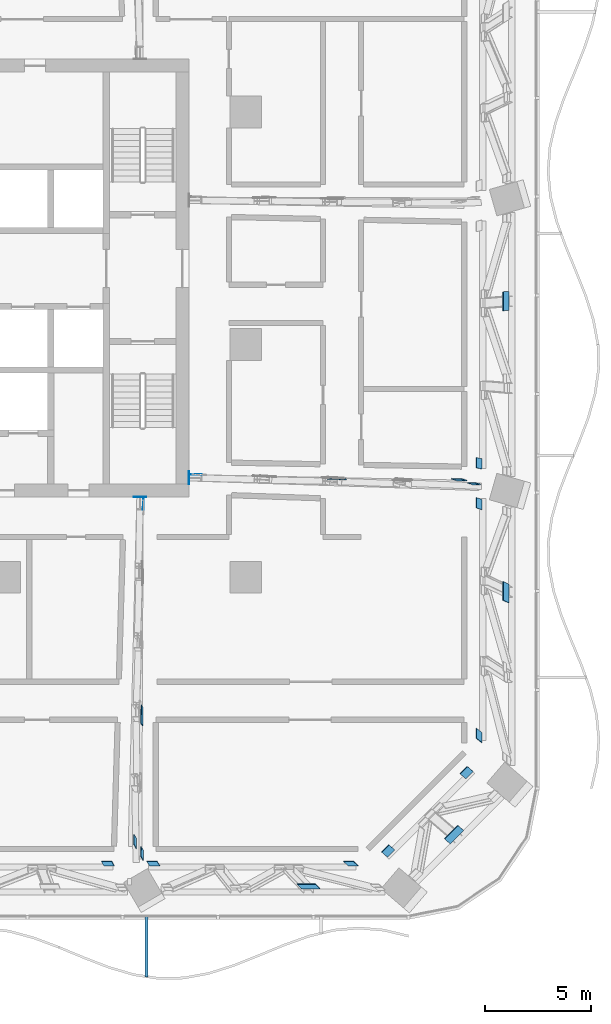
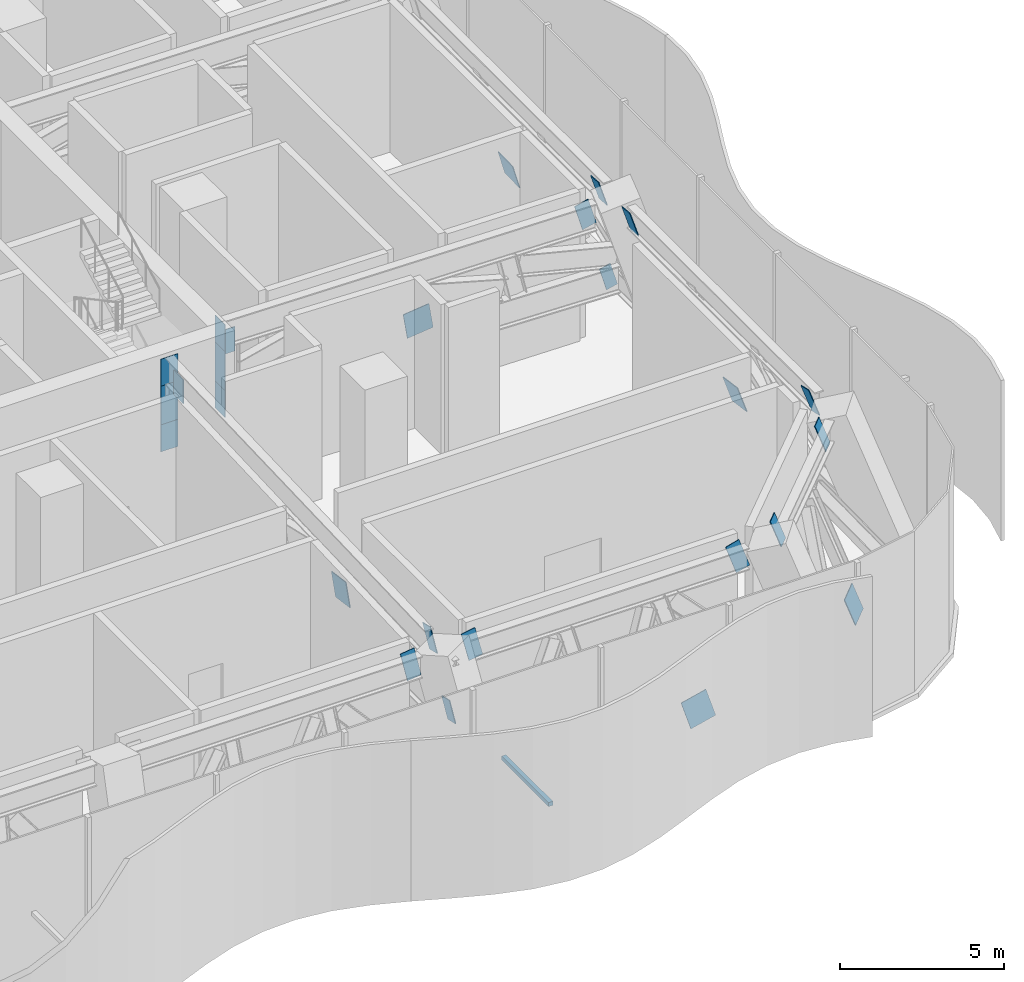
# One storey, part 16 of 32: 27 discrete accessories.
"""IFC4 building model written with IfcOpenShell, lengths in metres."""

from ifc_helpers import new_model, si_unit, direction, frame, origin, origin_2d, place, context, subcontext, project, spatial, rectangle, extrude, material, layer, layer_set, type_object, element, save


model = new_model("IFC4")

# Units and contexts
model_context = context("Model", 3, precision=1e-05, world=origin(), true_north=direction((0.0, 1.0)))
body_context = subcontext(model_context, "Body", "Model", "MODEL_VIEW")
ifc_project = project(units=[si_unit("LENGTHUNIT", "METRE"), si_unit("AREAUNIT", "SQUARE_METRE"), si_unit("VOLUMEUNIT", "CUBIC_METRE"), si_unit("PLANEANGLEUNIT", "RADIAN"), si_unit("MASSUNIT", "GRAM", prefix="KILO")], contexts=[model_context])

# Site, building, storey
site_placement = place(None, origin())
site = spatial("IfcSite", under=ifc_project, at=site_placement, CompositionType="ELEMENT")
building_placement = place(site_placement, origin())
building = spatial("IfcBuilding", under=site, at=building_placement, Name="Mopane Tessera Tower", CompositionType="ELEMENT")
storey_placement = place(building_placement, frame((0.0, 0.0, 88.60009765625)))
storey = spatial("IfcBuildingStorey", under=building, at=storey_placement, Name="L17", CompositionType="ELEMENT", Elevation=88.60009765625)

# Discrete accessories
ifc_material_1 = material(Name="Structural steel S460", Category="steel")
ifc_layer_1 = layer(ifc_material_1, 0.014892578125)
ifc_layer_set_1 = layer_set([ifc_layer_1], Name="Structural steel S460")
discrete_accessory_type_1 = type_object("IfcDiscreteAccessoryType", Name="Cast-in anchor plate 15 mm", PredefinedType="ANCHORPLATE", material=ifc_layer_set_1)
discrete_accessory_1_placement = place(storey_placement, frame((14.407470703125, -6.300537109375, 2.099853515625), z_axis=(0.0, 0.0, 1.0), x_axis=(1.0, 0.0, 0.0)))
element("IfcDiscreteAccessory", 1, at=discrete_accessory_1_placement, inside=storey, type_object=discrete_accessory_type_1, Name="Cast-in anchor plate s ot L17 E1 b", PredefinedType="ANCHORPLATE", context=body_context, shape_type="SweptSolid", body=[
    extrude(rectangle(XDim=0.014892578125, YDim=0.60205078125, at=origin_2d()), origin(), (0.0, 0.0, 1.0), 1.008056640625),
])
discrete_accessory_2_placement = place(storey_placement, frame((14.407470703125, -6.30029296875, 4.5419921875), z_axis=(0.0, 0.0, 1.0), x_axis=(1.0, 0.0, 0.0)))
element("IfcDiscreteAccessory", 2, at=discrete_accessory_2_placement, inside=storey, type_object=discrete_accessory_type_1, Name="Cast-in anchor plate s ot L17 E1 t", PredefinedType="ANCHORPLATE", context=body_context, shape_type="SweptSolid", body=[
    extrude(rectangle(XDim=0.014892578125, YDim=0.60205078125, at=origin_2d()), origin(), (0.0, 0.0, 1.0), 1.0078125),
])
discrete_accessory_3_placement = place(storey_placement, frame((14.407470703125, -6.300537109375, 3.10791015625), z_axis=(0.0, 0.0, 1.0), x_axis=(1.0, 0.0, 0.0)))
element("IfcDiscreteAccessory", 3, at=discrete_accessory_3_placement, inside=storey, type_object=discrete_accessory_type_1, Name="Cast-in anchor plate s ot L17 E1 p", PredefinedType="ANCHORPLATE", context=body_context, shape_type="SweptSolid", body=[
    extrude(rectangle(XDim=0.014892578125, YDim=0.60205078125, at=origin_2d()), origin(), (0.0, 0.0, 1.0), 1.43408203125),
])
discrete_accessory_4_placement = place(storey_placement, frame((12.093505859375, -7.20751953125, 2.099853515625), z_axis=(0.0, 0.0, 1.0), x_axis=(0.0, -1.0, 0.0)))
element("IfcDiscreteAccessory", 4, at=discrete_accessory_4_placement, inside=storey, type_object=discrete_accessory_type_1, Name="Cast-in anchor plate s ot L17 S3 b", PredefinedType="ANCHORPLATE", context=body_context, shape_type="SweptSolid", body=[
    extrude(rectangle(XDim=0.014892578125, YDim=0.60205078125, at=origin_2d()), origin(), (0.0, 0.0, 1.0), 1.008056640625),
])
discrete_accessory_5_placement = place(storey_placement, frame((12.09326171875, -7.20751953125, 4.5419921875), z_axis=(0.0, 0.0, 1.0), x_axis=(0.0, -1.0, 0.0)))
element("IfcDiscreteAccessory", 5, at=discrete_accessory_5_placement, inside=storey, type_object=discrete_accessory_type_1, Name="Cast-in anchor plate s ot L17 S3 t", PredefinedType="ANCHORPLATE", context=body_context, shape_type="SweptSolid", body=[
    extrude(rectangle(XDim=0.014892578125, YDim=0.60205078125, at=origin_2d()), origin(), (0.0, 0.0, 1.0), 1.0078125),
])
discrete_accessory_6_placement = place(storey_placement, frame((12.093505859375, -7.20751953125, 3.10791015625), z_axis=(0.0, 0.0, 1.0), x_axis=(0.0, -1.0, 0.0)))
element("IfcDiscreteAccessory", 6, at=discrete_accessory_6_placement, inside=storey, type_object=discrete_accessory_type_1, Name="Cast-in anchor plate s ot L17 S3 p", PredefinedType="ANCHORPLATE", context=body_context, shape_type="SweptSolid", body=[
    extrude(rectangle(XDim=0.014892578125, YDim=0.60205078125, at=origin_2d()), origin(), (0.0, 0.0, 1.0), 1.43408203125),
])
ifc_material_2 = material(Name="Stainless steel S316", Category="steel")
discrete_accessory_type_2 = type_object("IfcDiscreteAccessoryType", Name="Louvre bracket 150 x 150", PredefinedType="BRACKET", material=ifc_material_2)
discrete_accessory_7_placement = place(storey_placement, frame((12.39990234375, -28.490234375, 2.489990234375), z_axis=(0.0, 0.0, 1.0), x_axis=(0.0, -1.0, 0.0)))
element("IfcDiscreteAccessory", 7, at=discrete_accessory_7_placement, inside=storey, type_object=discrete_accessory_type_2, Name="e:lv:L17:S:2:br0", PredefinedType="BRACKET", context=body_context, shape_type="SweptSolid", body=[
    extrude(rectangle(XDim=2.8603515625, YDim=0.14990234375, at=origin_2d()), origin(), (0.0, 0.0, 1.0), 0.14990234375),
])
ifc_material_3 = material(Name="Structural steel S460", Category="steel")
ifc_layer_2 = layer(ifc_material_3, 0.030029296875)
ifc_layer_set_2 = layer_set([ifc_layer_2], Name="Structural steel S460")
discrete_accessory_type_3 = type_object("IfcDiscreteAccessoryType", Name="Truss node plate 30 mm", PredefinedType="BRACKET", material=ifc_layer_set_2)
discrete_accessory_8_placement = place(storey_placement, frame((14.71630859375, -6.141845703125, 4.091796875), z_axis=(-0.00650921068, 0.00162730267, 0.999977490778), x_axis=(-0.00033190346, 0.999998617288, -0.001629497528)))
element("IfcDiscreteAccessory", 8, at=discrete_accessory_8_placement, inside=storey, type_object=discrete_accessory_type_3, Name="Truss node plate s ot L17 E1 1", PredefinedType="BRACKET", context=body_context, shape_type="SweptSolid", body=[
    extrude(rectangle(XDim=0.030029296875, YDim=0.590087890625, at=origin_2d()), origin(), (0.0, 0.0, 1.0), 0.900146484375),
])
discrete_accessory_9_placement = place(storey_placement, frame((21.406494140625, -6.363037109375, 2.657958984375), z_axis=(-0.138265970211, 0.039466208973, 0.989608478051), x_axis=(0.037564771661, 0.998695700189, -0.034580143929)))
element("IfcDiscreteAccessory", 9, at=discrete_accessory_9_placement, inside=storey, type_object=discrete_accessory_type_3, Name="Truss node plate s ot L17 E1 8", PredefinedType="BRACKET", context=body_context, shape_type="SweptSolid", body=[
    extrude(rectangle(XDim=0.030029296875, YDim=0.89990234375, at=origin_2d()), origin(), (0.0, 0.0, 1.0), 0.909423828125),
])
discrete_accessory_10_placement = place(storey_placement, frame((27.31884765625, -6.42529296875, 4.595947265625), z_axis=(-0.258197972787, 0.073696182516, 0.963277052322), x_axis=(0.049640833468, 0.996781132556, -0.062953645121)))
element("IfcDiscreteAccessory", 10, at=discrete_accessory_10_placement, inside=storey, type_object=discrete_accessory_type_3, Name="Truss node plate s ot L17 E1 15", PredefinedType="BRACKET", context=body_context, shape_type="SweptSolid", body=[
    extrude(rectangle(XDim=0.030029296875, YDim=0.489990234375, at=origin_2d()), origin(), (0.0, 0.0, 1.0), 0.934326171875),
])
discrete_accessory_11_placement = place(storey_placement, frame((28.0087890625, -6.60986328125, 2.204833984375), z_axis=(-0.258955347107, 0.073945156, 0.963054641289), x_axis=(0.049865746197, 0.996759090055, -0.063124668307)))
element("IfcDiscreteAccessory", 11, at=discrete_accessory_11_placement, inside=storey, type_object=discrete_accessory_type_3, Name="Truss node plate s ot L17 E1 16", PredefinedType="BRACKET", context=body_context, shape_type="SweptSolid", body=[
    extrude(rectangle(XDim=0.030029296875, YDim=0.3916015625, at=origin_2d()), origin(), (0.0, 0.0, 1.0), 0.82861328125),
])
discrete_accessory_12_placement = place(storey_placement, frame((12.254638671875, -7.509765625, 4.091796875), z_axis=(-0.002440978694, 0.004339517678, 0.999987605028), x_axis=(0.99980230165, -0.019722483773, 0.002526113495)))
element("IfcDiscreteAccessory", 12, at=discrete_accessory_12_placement, inside=storey, type_object=discrete_accessory_type_3, Name="Truss node plate s ot L17 S3 1", PredefinedType="BRACKET", context=body_context, shape_type="SweptSolid", body=[
    extrude(rectangle(XDim=0.030029296875, YDim=0.590087890625, at=origin_2d()), origin(), (0.0, 0.0, 1.0), 0.900146484375),
])
discrete_accessory_13_placement = place(storey_placement, frame((12.212890625, -17.594482421875, 2.657958984375), z_axis=(-0.082430469088, 0.141577006973, 0.986489315128), x_axis=(0.996585077751, 0.00690526899, 0.082283048468)))
element("IfcDiscreteAccessory", 13, at=discrete_accessory_13_placement, inside=storey, type_object=discrete_accessory_type_3, Name="Truss node plate s ot L17 S3 12", PredefinedType="BRACKET", context=body_context, shape_type="SweptSolid", body=[
    extrude(rectangle(XDim=0.030029296875, YDim=0.89990234375, at=origin_2d()), origin(), (0.0, 0.0, 1.0), 0.912109375),
])
discrete_accessory_14_placement = place(storey_placement, frame((12.245361328125, -24.1689453125, 2.20458984375), z_axis=(-0.130776875089, 0.224652826055, 0.965623382426), x_axis=(0.991400060365, 0.024888393652, 0.128477578469)))
element("IfcDiscreteAccessory", 14, at=discrete_accessory_14_placement, inside=storey, type_object=discrete_accessory_type_3, Name="Truss node plate s ot L17 S3 19", PredefinedType="BRACKET", context=body_context, shape_type="SweptSolid", body=[
    extrude(rectangle(XDim=0.030029296875, YDim=0.489990234375, at=origin_2d()), origin(), (0.0, 0.0, 1.0), 0.826904296875),
])
discrete_accessory_15_placement = place(storey_placement, frame((11.921142578125, -23.613037109375, 4.595947265625), z_axis=(-0.130985932016, 0.224509887476, 0.965628290824), x_axis=(0.99137662939, 0.025849684007, 0.128468566332)))
element("IfcDiscreteAccessory", 15, at=discrete_accessory_15_placement, inside=storey, type_object=discrete_accessory_type_3, Name="Truss node plate s ot L17 S3 20", PredefinedType="BRACKET", context=body_context, shape_type="SweptSolid", body=[
    extrude(rectangle(XDim=0.030029296875, YDim=0.489990234375, at=origin_2d()), origin(), (0.0, 0.0, 1.0), 0.931884765625),
])
discrete_accessory_16_placement = place(storey_placement, frame((10.633056640625, -24.66015625, 4.69287109375), z_axis=(-0.127365427573, 0.240376145072, 0.962287564473), x_axis=(0.031229233069, 0.970679770091, -0.238339083948)))
element("IfcDiscreteAccessory", 16, at=discrete_accessory_16_placement, inside=storey, type_object=discrete_accessory_type_3, Name="Truss node plate s bt L17 S2-S3 11", PredefinedType="BRACKET", context=body_context, shape_type="SweptSolid", body=[
    extrude(rectangle(XDim=0.030029296875, YDim=0.489990234375, at=origin_2d()), origin(), (0.0, 0.0, 1.0), 0.935302734375),
])
discrete_accessory_17_placement = place(storey_placement, frame((12.7978515625, -24.66015625, 4.69287109375), z_axis=(-0.152651582269, 0.239509552419, 0.958818371085), x_axis=(0.037595840939, 0.970894005861, -0.236540445014)))
element("IfcDiscreteAccessory", 17, at=discrete_accessory_17_placement, inside=storey, type_object=discrete_accessory_type_3, Name="Truss node plate s bt L17 S3-S4 2", PredefinedType="BRACKET", context=body_context, shape_type="SweptSolid", body=[
    extrude(rectangle(XDim=0.030029296875, YDim=0.489990234375, at=origin_2d()), origin(), (0.0, 0.0, 1.0), 0.938720703125),
])
discrete_accessory_18_placement = place(storey_placement, frame((20.173828125, -25.742431640625, 0.364013671875), z_axis=(-0.225159879254, 0.236187071518, 0.945261178734), x_axis=(0.054652752513, 0.971707600856, -0.229776881086)))
element("IfcDiscreteAccessory", 18, at=discrete_accessory_18_placement, inside=storey, type_object=discrete_accessory_type_3, Name="Truss node plate s bt L17 S3-S4 8", PredefinedType="BRACKET", context=body_context, shape_type="SweptSolid", body=[
    extrude(rectangle(XDim=0.030029296875, YDim=0.89990234375, at=origin_2d()), origin(), (0.0, 0.0, 1.0), 0.951904296875),
])
discrete_accessory_19_placement = place(storey_placement, frame((22.19580078125, -24.66015625, 4.69287109375), z_axis=(-0.258751493539, 0.23409639052, 0.937148091038), x_axis=(0.062275867756, 0.972213391772, -0.225660889733)))
element("IfcDiscreteAccessory", 19, at=discrete_accessory_19_placement, inside=storey, type_object=discrete_accessory_type_3, Name="Truss node plate s bt L17 S3-S4 11", PredefinedType="BRACKET", context=body_context, shape_type="SweptSolid", body=[
    extrude(rectangle(XDim=0.030029296875, YDim=0.489990234375, at=origin_2d()), origin(), (0.0, 0.0, 1.0), 0.96044921875),
])
discrete_accessory_20_placement = place(storey_placement, frame((23.959228515625, -24.0634765625, 4.69287109375), z_axis=(-0.272176513919, 0.233438833334, 0.93350214588), x_axis=(-0.652722450227, 0.668017089592, -0.357360561594)))
element("IfcDiscreteAccessory", 20, at=discrete_accessory_20_placement, inside=storey, type_object=discrete_accessory_type_3, Name="Truss node plate s bt L17 S4-E0 2", PredefinedType="BRACKET", context=body_context, shape_type="SweptSolid", body=[
    extrude(rectangle(XDim=0.030029296875, YDim=0.489990234375, at=origin_2d()), origin(), (0.0, 0.0, 1.0), 0.96435546875),
])
discrete_accessory_21_placement = place(storey_placement, frame((27.076171875, -23.291259765625, 0.364013671875), z_axis=(-0.272240857205, 0.233494018924, 0.933469581077), x_axis=(-0.652697815177, 0.66799596074, -0.357445042626)))
element("IfcDiscreteAccessory", 21, at=discrete_accessory_21_placement, inside=storey, type_object=discrete_accessory_type_3, Name="Truss node plate s bt L17 S4-E0 4", PredefinedType="BRACKET", context=body_context, shape_type="SweptSolid", body=[
    extrude(rectangle(XDim=0.030029296875, YDim=0.89990234375, at=origin_2d()), origin(), (0.0, 0.0, 1.0), 0.964111328125),
])
discrete_accessory_22_placement = place(storey_placement, frame((27.66796875, -20.354736328125, 4.69287109375), z_axis=(-0.272410920996, 0.233422740854, 0.933437793414), x_axis=(-0.652980594752, 0.667675400185, -0.357527485469)))
element("IfcDiscreteAccessory", 22, at=discrete_accessory_22_placement, inside=storey, type_object=discrete_accessory_type_3, Name="Truss node plate s bt L17 S4-E0 8", PredefinedType="BRACKET", context=body_context, shape_type="SweptSolid", body=[
    extrude(rectangle(XDim=0.030029296875, YDim=0.489990234375, at=origin_2d()), origin(), (0.0, 0.0, 1.0), 0.96435546875),
])
discrete_accessory_23_placement = place(storey_placement, frame((28.2646484375, -18.5986328125, 4.69287109375), z_axis=(-0.273084719134, 0.219483904495, 0.936617078556), x_axis=(-0.961989961414, -0.062532969731, -0.265828782933)))
element("IfcDiscreteAccessory", 23, at=discrete_accessory_23_placement, inside=storey, type_object=discrete_accessory_type_3, Name="Truss node plate s bt L17 E0-E1 2", PredefinedType="BRACKET", context=body_context, shape_type="SweptSolid", body=[
    extrude(rectangle(XDim=0.030029296875, YDim=0.489990234375, at=origin_2d()), origin(), (0.0, 0.0, 1.0), 0.961181640625),
])
discrete_accessory_24_placement = place(storey_placement, frame((29.52734375, -11.77587890625, 0.364013671875), z_axis=(-0.27745671036, 0.133953518769, 0.951353892453), x_axis=(-0.960738139494, -0.038649490285, -0.274751604584)))
element("IfcDiscreteAccessory", 24, at=discrete_accessory_24_placement, inside=storey, type_object=discrete_accessory_type_3, Name="Truss node plate s bt L17 E0-E1 8", PredefinedType="BRACKET", context=body_context, shape_type="SweptSolid", body=[
    extrude(rectangle(XDim=0.030029296875, YDim=0.89990234375, at=origin_2d()), origin(), (0.0, 0.0, 1.0), 0.94580078125),
])
discrete_accessory_25_placement = place(storey_placement, frame((28.2646484375, -7.569091796875, 4.69287109375), z_axis=(-0.278741674424, 0.091271692462, 0.956019119628), x_axis=(-0.960366097739, -0.026291107482, -0.277499073837)))
element("IfcDiscreteAccessory", 25, at=discrete_accessory_25_placement, inside=storey, type_object=discrete_accessory_type_3, Name="Truss node plate s bt L17 E0-E1 11", PredefinedType="BRACKET", context=body_context, shape_type="SweptSolid", body=[
    extrude(rectangle(XDim=0.030029296875, YDim=0.489990234375, at=origin_2d()), origin(), (0.0, 0.0, 1.0), 0.941650390625),
])
discrete_accessory_26_placement = place(storey_placement, frame((28.2646484375, -5.64892578125, 4.69287109375), z_axis=(-0.27925598399, 0.0683203012, 0.957783081835), x_axis=(-0.960216603868, -0.019442196798, -0.278578668674)))
element("IfcDiscreteAccessory", 26, at=discrete_accessory_26_placement, inside=storey, type_object=discrete_accessory_type_3, Name="Truss node plate s bt L17 E1-E2 2", PredefinedType="BRACKET", context=body_context, shape_type="SweptSolid", body=[
    extrude(rectangle(XDim=0.030029296875, YDim=0.489990234375, at=origin_2d()), origin(), (0.0, 0.0, 1.0), 0.93994140625),
])
discrete_accessory_27_placement = place(storey_placement, frame((29.52734375, 2.069091796875, 0.364013671875), z_axis=(-0.279901395581, -0.023693978603, 0.959736320105), x_axis=(-0.960028739214, 0.007084313649, -0.27981178028)))
element("IfcDiscreteAccessory", 27, at=discrete_accessory_27_placement, inside=storey, type_object=discrete_accessory_type_3, Name="Truss node plate s bt L17 E1-E2 8", PredefinedType="BRACKET", context=body_context, shape_type="SweptSolid", body=[
    extrude(rectangle(XDim=0.030029296875, YDim=0.89990234375, at=origin_2d()), origin(), (0.0, 0.0, 1.0), 0.937744140625),
])

save(model, "model.ifc")
